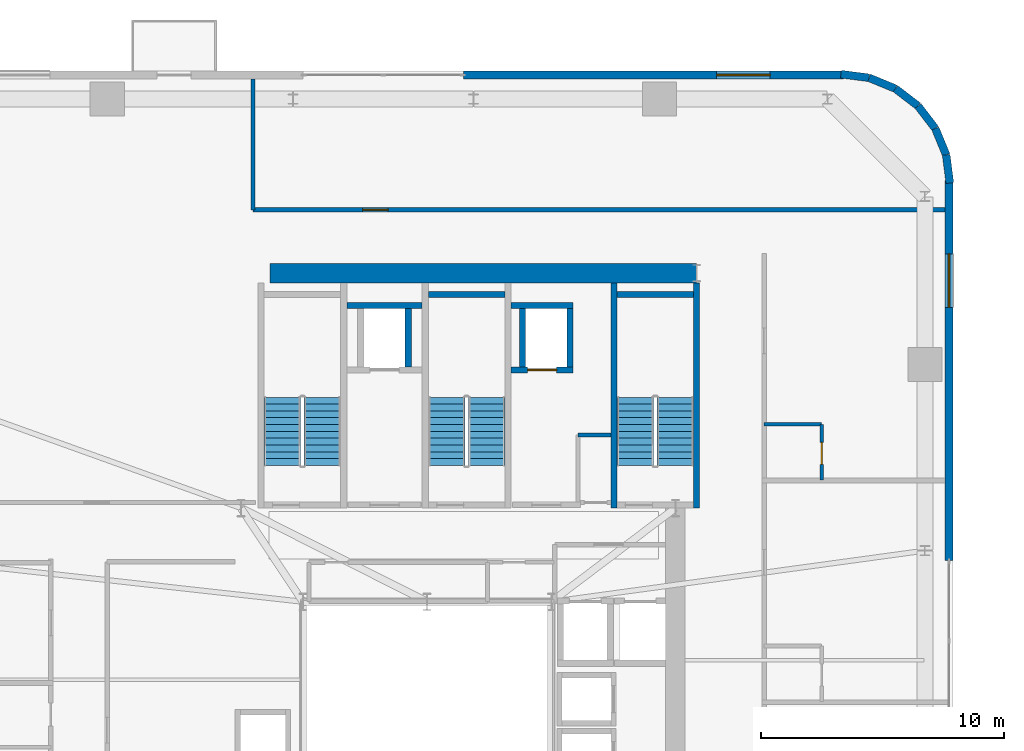
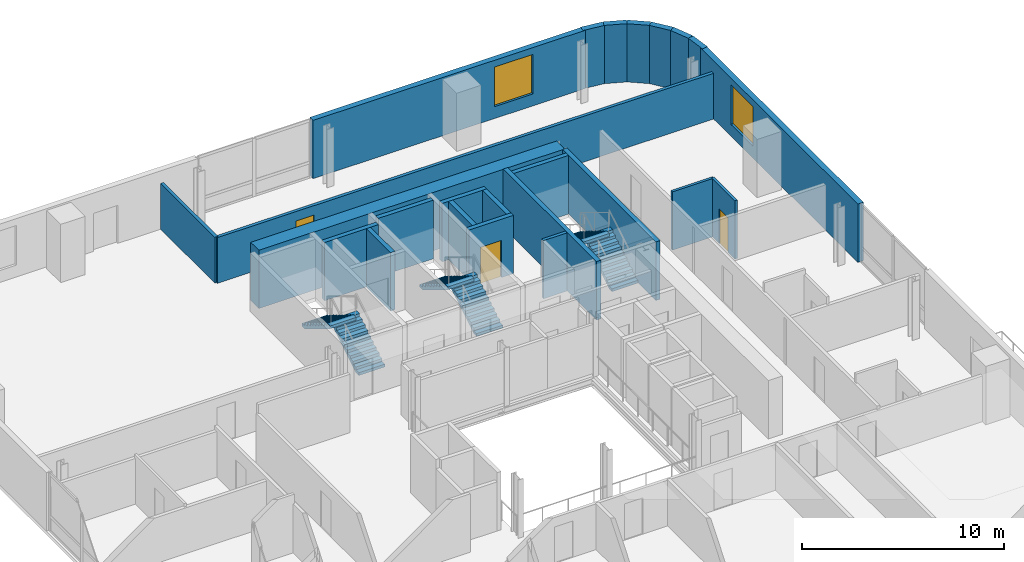
# One storey, part 11 of 16: 24 walls, 6 stair flights, 3 doors, 2 windows, 5 openings, 3 elements without a shape of their own.
"""IFC4 building model written with IfcOpenShell, lengths in metres."""

from ifc_helpers import new_model, si_unit, direction, frame, frame_2d, origin, place, context, subcontext, project, spatial, polyline, rectangle, outline, extrude, source, transform, mapped, material, layer, layer_set, type_object, element, fill, aggregate, save


model = new_model("IFC4")

# Units and contexts
model_context = context("Model", 3, precision=1e-05, world=origin(), true_north=direction((0.0, 1.0)))
body_context = subcontext(model_context, "Body", "Model", "MODEL_VIEW")
ifc_project = project(units=[si_unit("LENGTHUNIT", "METRE"), si_unit("AREAUNIT", "SQUARE_METRE"), si_unit("VOLUMEUNIT", "CUBIC_METRE"), si_unit("PLANEANGLEUNIT", "RADIAN"), si_unit("MASSUNIT", "GRAM", prefix="KILO")], contexts=[model_context])

# Site, building, storey
site_placement = place(None, origin())
site = spatial("IfcSite", under=ifc_project, at=site_placement, CompositionType="ELEMENT")
building_placement = place(site_placement, origin())
building = spatial("IfcBuilding", under=site, at=building_placement, Name="Vardaveli Station Tower", CompositionType="ELEMENT")
storey_placement = place(building_placement, frame((0.0, 0.0, 222.300048828125)))
storey = spatial("IfcBuildingStorey", under=building, at=storey_placement, Name="L57", CompositionType="ELEMENT", Elevation=222.300048828125)

# Wall
ifc_material_1 = material(Name="Concrete C50/60", Category="concrete")
ifc_layer_1 = layer(ifc_material_1, 0.800048828125, Name="Concrete C50/60")
ifc_layer_set_1 = layer_set([ifc_layer_1], Name="Concrete C50/60")
wall_type_1 = type_object("IfcWallType", Name="WAL-CORE-800", PredefinedType="SHEAR", material=ifc_layer_set_1)
shared_shape_1 = source(origin(), body_context, "Body", "SweptSolid", [
    extrude(rectangle(XDim=17.52001953125, YDim=0.800048828125, at=frame_2d((8.760009765625, 0.0))), origin(), (0.0, 0.0, 1.0), 3.530029296875),
])
wall_1_placement = place(storey_placement, frame((29.85009765625, 40.300048828125, 0.0), z_axis=(0.0, 0.0, 1.0), x_axis=(1.0, 0.0, 0.0)))
element("IfcWall", 1, at=wall_1_placement, inside=storey, type_object=wall_type_1, Name="SW-L57-NORTH", PredefinedType="SHEAR", context=body_context, shape_type="MappedRepresentation", body=[
    mapped(shared_shape_1, transform((0.0, 0.0, 0.0), scale=1.0)),
])

# Wall, opening, window
ifc_material_2 = material(Name="Precast concrete C45/55", Category="concrete")
ifc_layer_2 = layer(ifc_material_2, 0.320068359375, Name="Precast concrete C45/55")
ifc_layer_set_2 = layer_set([ifc_layer_2], Name="Precast concrete C45/55")
wall_type_2 = type_object("IfcWallType", Name="WAL-EXT-STONE-320", PredefinedType="SOLIDWALL", material=ifc_layer_set_2)
shared_shape_2 = source(origin(), body_context, "Body", "SweptSolid", [
    extrude(rectangle(XDim=15.599853515625, YDim=0.320068359375, at=frame_2d((7.7998046875, 0.0))), origin(), (0.0, 0.0, 1.0), 3.530029296875),
])
wall_2_placement = place(storey_placement, frame((53.39990234375, 48.43994140625, 0.0), z_axis=(0.0, 0.0, 1.0), x_axis=(-1.0, 0.0, 0.0)))
wall_2 = element("IfcWall", 2, at=wall_2_placement, inside=storey, type_object=wall_type_2, Name="EW-L57-N1", PredefinedType="SOLIDWALL", context=body_context, shape_type="MappedRepresentation", body=[
    mapped(shared_shape_2, transform((0.0, 0.0, 0.0), scale=1.0)),
])
shared_shape_3 = source(origin(), body_context, "Body", "SweptSolid", [
    extrude(rectangle(XDim=2.199951171875, YDim=2.39990234375, at=frame_2d((1.10009765625, 1.199951171875))), frame((0.0, 0.169921875, 0.0), z_axis=(0.0, -1.0, 0.0), x_axis=(1.0, 0.0, 0.0)), (0.0, 0.0, 1.0), 0.340087890625),
])
opening_1_placement = place(wall_2_placement, frame((3.0048828125, 0.0, 0.719970703125)))
opening_1 = element("IfcOpeningElement", 3, at=opening_1_placement, cuts=wall_2, Name="Opening W-03", PredefinedType="OPENING", context=body_context, shape_type="MappedRepresentation", body=[
    mapped(shared_shape_3, transform((0.0, 0.0, 0.0), scale=1.0)),
])
ifc_material_3 = material(Name="Low-E solar-control glass", Category="glass")
window_type = type_object("IfcWindowType", Name="WIN-LOG-2200x2400", PartitioningType="SINGLE_PANEL", PredefinedType="WINDOW", material=ifc_material_3)
shared_shape_4 = source(origin(), body_context, "Body", "SweptSolid", [
    extrude(rectangle(XDim=2.199951171875, YDim=2.39990234375, at=frame_2d((1.10009765625, 1.199951171875))), frame((0.0, 0.030029296875, 0.0), z_axis=(0.0, -1.0, 0.0), x_axis=(1.0, 0.0, 0.0)), (0.0, 0.0, 1.0), 0.06005859375),
])
window_1_placement = place(opening_1_placement, origin())
window_1 = element("IfcWindow", 4, at=window_1_placement, inside=storey, type_object=window_type, Name="WN-L57-N1", OverallHeight=2.39990234375, OverallWidth=2.199951171875, PartitioningType="SINGLE_PANEL", PredefinedType="WINDOW", context=body_context, shape_type="MappedRepresentation", body=[
    mapped(shared_shape_4, transform((0.0, 0.0, 0.0), scale=1.0)),
])
fill(opening_1, window_1)

shared_shape_5 = source(origin(), body_context, "Body", "SweptSolid", [
    extrude(rectangle(XDim=15.60009765625, YDim=0.320068359375, at=frame_2d((7.800048828125, 0.0))), origin(), (0.0, 0.0, 1.0), 3.530029296875),
])
wall_3_placement = place(storey_placement, frame((57.739990234375, 28.5, 0.0), z_axis=(0.0, 0.0, 1.0), x_axis=(0.0, 1.0, 0.0)))
wall_3 = element("IfcWall", 5, at=wall_3_placement, inside=storey, type_object=wall_type_2, Name="EW-L57-E2", PredefinedType="SOLIDWALL", context=body_context, shape_type="MappedRepresentation", body=[
    mapped(shared_shape_5, transform((0.0, 0.0, 0.0), scale=1.0)),
])
opening_2_placement = place(wall_3_placement, frame((10.39501953125, 0.0, 0.719970703125)))
opening_2 = element("IfcOpeningElement", 6, at=opening_2_placement, cuts=wall_3, Name="Opening W-03", PredefinedType="OPENING", context=body_context, shape_type="MappedRepresentation", body=[
    mapped(shared_shape_3, transform((0.0, 0.0, 0.0), scale=1.0)),
])
window_2_placement = place(opening_2_placement, origin())
window_2 = element("IfcWindow", 7, at=window_2_placement, inside=storey, type_object=window_type, Name="WN-L57-E2", OverallHeight=2.39990234375, OverallWidth=2.199951171875, PartitioningType="SINGLE_PANEL", PredefinedType="WINDOW", context=body_context, shape_type="MappedRepresentation", body=[
    mapped(shared_shape_4, transform((0.0, 0.0, 0.0), scale=1.0)),
])
fill(opening_2, window_2)

# Walls
shared_shape_6 = source(origin(), body_context, "Body", "SweptSolid", [
    extrude(rectangle(XDim=1.1689453125, YDim=0.320068359375, at=frame_2d((0.58447265625, 0.0))), origin(), (0.0, 0.0, 1.0), 3.530029296875),
])
wall_4_placement = place(storey_placement, frame((57.179931640625, 46.2412109375, 0.0), z_axis=(0.0, 0.0, 1.0), x_axis=(-0.608387696831, 0.793639975269, 0.0)))
element("IfcWall", 8, at=wall_4_placement, inside=storey, type_object=wall_type_2, Name="EW-L57-CR3-3", PredefinedType="SOLIDWALL", context=body_context, shape_type="MappedRepresentation", body=[
    mapped(shared_shape_6, transform((0.0, 0.0, 0.0), scale=1.0)),
])
shared_shape_7 = source(origin(), body_context, "Body", "SweptSolid", [
    extrude(rectangle(XDim=1.168701171875, YDim=0.320068359375, at=frame_2d((0.58447265625, 0.0))), origin(), (0.0, 0.0, 1.0), 3.530029296875),
])
wall_5_placement = place(storey_placement, frame((56.46875, 47.1689453125, 0.0), z_axis=(0.0, 0.0, 1.0), x_axis=(-0.793663520347, 0.608356981114, 0.0)))
element("IfcWall", 9, at=wall_5_placement, inside=storey, type_object=wall_type_2, Name="EW-L57-CR3-4", PredefinedType="SOLIDWALL", context=body_context, shape_type="MappedRepresentation", body=[
    mapped(shared_shape_7, transform((0.0, 0.0, 0.0), scale=1.0)),
])
shared_shape_8 = source(origin(), body_context, "Body", "SweptSolid", [
    extrude(rectangle(XDim=1.17041015625, YDim=0.320068359375, at=frame_2d((0.585205078125, 0.0))), origin(), (0.0, 0.0, 1.0), 3.530029296875),
])
for number, where, z_axis, x_axis, name in (
    (10, (57.775634765625, 43.99951171875, 0.0), (0.0, 0.0, 1.0), (-0.128295670475, 0.991735963317, 0.0), "EW-L57-CR3-1"),
    (11, (54.460205078125, 48.325439453125, 0.0), (0.0, 0.0, 1.0), (-0.991735963317, 0.128295670475, 0.0), "EW-L57-CR3-6"),
):
    element("IfcWall", number, at=place(storey_placement, frame(where, z_axis=z_axis, x_axis=x_axis)), inside=storey, type_object=wall_type_2, Name=name, PredefinedType="SOLIDWALL", context=body_context, shape_type="MappedRepresentation", body=[
        mapped(shared_shape_8, transform((0.0, 0.0, 0.0), scale=1.0)),
    ])
shared_shape_9 = source(origin(), body_context, "Body", "SweptSolid", [
    extrude(rectangle(XDim=1.169189453125, YDim=0.320068359375, at=frame_2d((0.58447265625, 0.0))), origin(), (0.0, 0.0, 1.0), 3.530029296875),
])
for number, where, z_axis, x_axis, name in (
    (12, (57.62548828125, 45.16015625, 0.0), (0.0, 0.0, 1.0), (-0.381054331552, 0.924552646638, 0.0), "EW-L57-CR3-2"),
    (13, (55.541259765625, 47.8798828125, 0.0), (0.0, 0.0, 1.0), (-0.924552646638, 0.381054331552, 0.0), "EW-L57-CR3-5"),
):
    element("IfcWall", number, at=place(storey_placement, frame(where, z_axis=z_axis, x_axis=x_axis)), inside=storey, type_object=wall_type_2, Name=name, PredefinedType="SOLIDWALL", context=body_context, shape_type="MappedRepresentation", body=[
        mapped(shared_shape_9, transform((0.0, 0.0, 0.0), scale=1.0)),
    ])
ifc_material_4 = material(Name="Concrete C40/50", Category="concrete")
ifc_layer_3 = layer(ifc_material_4, 0.25, Name="Concrete C40/50")
ifc_layer_set_3 = layer_set([ifc_layer_3], Name="Concrete C40/50")
wall_type_3 = type_object("IfcWallType", Name="WAL-SHAFT-250", PredefinedType="SOLIDWALL", material=ifc_layer_set_3)
shared_shape_10 = source(origin(), body_context, "Body", "SweptSolid", [
    extrude(rectangle(XDim=9.25, YDim=0.25, at=frame_2d((4.625, 0.0))), origin(), (0.0, 0.0, 1.0), 3.550048828125),
])
for number, where, z_axis, x_axis, name in (
    (14, (43.97509765625, 30.64990234375, 0.0), (0.0, 0.0, 1.0), (0.0, 1.0, 0.0), "W-L57-ST-3W"),
    (15, (47.375, 30.64990234375, 0.0), (0.0, 0.0, 1.0), (0.0, 1.0, 0.0), "W-L57-ST-3E"),
):
    element("IfcWall", number, at=place(storey_placement, frame(where, z_axis=z_axis, x_axis=x_axis)), inside=storey, type_object=wall_type_3, Name=name, PredefinedType="SOLIDWALL", context=body_context, shape_type="MappedRepresentation", body=[
        mapped(shared_shape_10, transform((0.0, 0.0, 0.0), scale=1.0)),
    ])
shared_shape_11 = source(origin(), body_context, "Body", "SweptSolid", [
    extrude(rectangle(XDim=3.14990234375, YDim=0.25, at=frame_2d((1.574951171875, 0.0))), origin(), (0.0, 0.0, 1.0), 3.550048828125),
])
for number, where, z_axis, x_axis, name in (
    (16, (36.35009765625, 39.425048828125, 0.0), (0.0, 0.0, 1.0), (1.0, 0.0, 0.0), "W-L57-ST-2N"),
    (17, (44.10009765625, 39.425048828125, 0.0), (0.0, 0.0, 1.0), (1.0, 0.0, 0.0), "W-L57-ST-3N"),
):
    element("IfcWall", number, at=place(storey_placement, frame(where, z_axis=z_axis, x_axis=x_axis)), inside=storey, type_object=wall_type_3, Name=name, PredefinedType="SOLIDWALL", context=body_context, shape_type="MappedRepresentation", body=[
        mapped(shared_shape_11, transform((0.0, 0.0, 0.0), scale=1.0)),
    ])
shared_shape_12 = source(origin(), body_context, "Body", "SweptSolid", [
    extrude(rectangle(XDim=3.10009765625, YDim=0.25, at=frame_2d((1.550048828125, 0.0))), origin(), (0.0, 0.0, 1.0), 3.530029296875),
])
wall_6_placement = place(storey_placement, frame((33.0, 38.97509765625, 0.0), z_axis=(0.0, 0.0, 1.0), x_axis=(1.0, 0.0, 0.0)))
element("IfcWall", 18, at=wall_6_placement, inside=storey, type_object=wall_type_3, Name="SHW-FFL-01-L57-N", PredefinedType="SOLIDWALL", context=body_context, shape_type="MappedRepresentation", body=[
    mapped(shared_shape_12, transform((0.0, 0.0, 0.0), scale=1.0)),
])
shared_shape_13 = source(origin(), body_context, "Body", "SweptSolid", [
    extrude(rectangle(XDim=2.400146484375, YDim=0.25, at=frame_2d((1.2001953125, 0.0))), origin(), (0.0, 0.0, 1.0), 3.530029296875),
])
for number, where, z_axis, x_axis, name in (
    (19, (35.52490234375, 36.449951171875, 0.0), (0.0, 0.0, 1.0), (0.0, 1.0, 0.0), "SHW-FFL-01-L57-E"),
    (20, (40.22509765625, 36.449951171875, 0.0), (0.0, 0.0, 1.0), (0.0, 1.0, 0.0), "SHW-FFL-02-L57-W"),
    (21, (42.175048828125, 36.449951171875, 0.0), (0.0, 0.0, 1.0), (0.0, 1.0, 0.0), "SHW-FFL-02-L57-E"),
):
    element("IfcWall", number, at=place(storey_placement, frame(where, z_axis=z_axis, x_axis=x_axis)), inside=storey, type_object=wall_type_3, Name=name, PredefinedType="SOLIDWALL", context=body_context, shape_type="MappedRepresentation", body=[
        mapped(shared_shape_13, transform((0.0, 0.0, 0.0), scale=1.0)),
    ])

# Wall, opening, door
shared_shape_14 = source(origin(), body_context, "Body", "SweptSolid", [
    extrude(rectangle(XDim=2.550048828125, YDim=0.25, at=frame_2d((1.27490234375, 0.0))), origin(), (0.0, 0.0, 1.0), 3.530029296875),
])
wall_7_placement = place(storey_placement, frame((39.75, 36.324951171875, 0.0), z_axis=(0.0, 0.0, 1.0), x_axis=(1.0, 0.0, 0.0)))
wall_7 = element("IfcWall", 22, at=wall_7_placement, inside=storey, type_object=wall_type_3, Name="SHW-FFL-02-L57-S", PredefinedType="SOLIDWALL", context=body_context, shape_type="MappedRepresentation", body=[
    mapped(shared_shape_14, transform((0.0, 0.0, 0.0), scale=1.0)),
])
shared_shape_15 = source(origin(), body_context, "Body", "SweptSolid", [
    extrude(rectangle(XDim=1.199951171875, YDim=2.25, at=frame_2d((0.60009765625, 1.125))), frame((0.0, 0.135009765625, 0.0), z_axis=(0.0, -1.0, 0.0), x_axis=(1.0, 0.0, 0.0)), (0.0, 0.0, 1.0), 0.27001953125),
])
opening_3_placement = place(wall_7_placement, frame((0.675048828125, 0.0, 0.0)))
opening_3 = element("IfcOpeningElement", 23, at=opening_3_placement, cuts=wall_7, Name="Opening LD-02", PredefinedType="OPENING", context=body_context, shape_type="MappedRepresentation", body=[
    mapped(shared_shape_15, transform((0.0, 0.0, 0.0), scale=1.0)),
])
ifc_material_5 = material(Name="Brushed stainless steel", Category="steel")
door_type_1 = type_object("IfcDoorType", Name="DR-LD-1200x2250", OperationType="DOUBLE_DOOR_SLIDING", PredefinedType="DOOR", material=ifc_material_5)
shared_shape_16 = source(origin(), body_context, "Body", "SweptSolid", [
    extrude(rectangle(XDim=1.199951171875, YDim=2.25, at=frame_2d((0.60009765625, 1.125))), frame((0.0, 0.02490234375, 0.0), z_axis=(0.0, -1.0, 0.0), x_axis=(1.0, 0.0, 0.0)), (0.0, 0.0, 1.0), 0.050048828125),
])
door_1_placement = place(opening_3_placement, origin())
door_1 = element("IfcDoor", 24, at=door_1_placement, inside=storey, type_object=door_type_1, Name="LD-FFL-02-L57", OperationType="DOUBLE_DOOR_SLIDING", OverallHeight=2.25, OverallWidth=1.199951171875, PredefinedType="DOOR", context=body_context, shape_type="MappedRepresentation", body=[
    mapped(shared_shape_16, transform((0.0, 0.0, 0.0), scale=1.0)),
])
fill(opening_3, door_1)

# Wall
wall_8_placement = place(storey_placement, frame((39.75, 38.97509765625, 0.0), z_axis=(0.0, 0.0, 1.0), x_axis=(1.0, 0.0, 0.0)))
element("IfcWall", 25, at=wall_8_placement, inside=storey, type_object=wall_type_3, Name="SHW-FFL-02-L57-N", PredefinedType="SOLIDWALL", context=body_context, shape_type="MappedRepresentation", body=[
    mapped(shared_shape_14, transform((0.0, 0.0, 0.0), scale=1.0)),
])

# Wall, opening, door
ifc_material_6 = material(Name="Fire-rated gypsum stud partition")
ifc_layer_4 = layer(ifc_material_6, 0.179931640625, Name="Fire-rated gypsum stud partition")
ifc_layer_set_4 = layer_set([ifc_layer_4], Name="Fire-rated gypsum stud partition")
wall_type_4 = type_object("IfcWallType", Name="WAL-CORR-180", PredefinedType="PARTITIONING", material=ifc_layer_set_4)
shared_shape_17 = source(origin(), body_context, "Body", "SweptSolid", [
    extrude(rectangle(XDim=28.427978515625, YDim=0.179931640625, at=frame_2d((14.2138671875, 0.0))), origin(), (0.0, 0.0, 1.0), 2.77197265625),
])
wall_9_placement = place(storey_placement, frame((29.14990234375, 42.89990234375, 0.0), z_axis=(0.0, 0.0, 1.0), x_axis=(1.0, 0.0, 0.0)))
wall_9 = element("IfcWall", 26, at=wall_9_placement, inside=storey, type_object=wall_type_4, Name="W-L57-NPS", PredefinedType="PARTITIONING", context=body_context, shape_type="MappedRepresentation", body=[
    mapped(shared_shape_17, transform((0.0, 0.0, 0.0), scale=1.0)),
])
shared_shape_18 = source(origin(), body_context, "Body", "SweptSolid", [
    extrude(rectangle(XDim=1.050048828125, YDim=2.199951171875, at=frame_2d((0.52490234375, 1.10009765625))), frame((0.0, 0.10009765625, 0.0), z_axis=(0.0, -1.0, 0.0), x_axis=(1.0, 0.0, 0.0)), (0.0, 0.0, 1.0), 0.199951171875),
])
opening_4_placement = place(wall_9_placement, frame((4.5, 0.0, 0.0)))
opening_4 = element("IfcOpeningElement", 27, at=opening_4_placement, cuts=wall_9, Name="Opening D-05", PredefinedType="OPENING", context=body_context, shape_type="MappedRepresentation", body=[
    mapped(shared_shape_18, transform((0.0, 0.0, 0.0), scale=1.0)),
])
ifc_material_7 = material(Name="Walnut veneer acoustic fire door")
door_type_2 = type_object("IfcDoorType", Name="DR-SUITE-1050x2200", OperationType="NOTDEFINED", PredefinedType="DOOR", material=ifc_material_7)
shared_shape_19 = source(origin(), body_context, "Body", "SweptSolid", [
    extrude(rectangle(XDim=1.050048828125, YDim=2.199951171875, at=frame_2d((0.52490234375, 1.10009765625))), frame((0.0, 0.02490234375, 0.0), z_axis=(0.0, -1.0, 0.0), x_axis=(1.0, 0.0, 0.0)), (0.0, 0.0, 1.0), 0.050048828125),
])
door_2_placement = place(opening_4_placement, origin())
door_2 = element("IfcDoor", 28, at=door_2_placement, inside=storey, type_object=door_type_2, Name="D-L57-NP1", OperationType="SINGLE_SWING_LEFT", OverallHeight=2.199951171875, OverallWidth=1.050048828125, PredefinedType="DOOR", context=body_context, shape_type="MappedRepresentation", body=[
    mapped(shared_shape_19, transform((0.0, 0.0, 0.0), scale=1.0)),
])
fill(opening_4, door_2)

ifc_material_8 = material(Name="Moisture-resistant stud partition")
ifc_layer_5 = layer(ifc_material_8, 0.14990234375, Name="Moisture-resistant stud partition")
ifc_layer_set_5 = layer_set([ifc_layer_5], Name="Moisture-resistant stud partition")
wall_type_5 = type_object("IfcWallType", Name="WAL-WET-150", PredefinedType="PARTITIONING", material=ifc_layer_set_5)
shared_shape_20 = source(origin(), body_context, "Body", "SweptSolid", [
    extrude(rectangle(XDim=2.289794921875, YDim=0.14990234375, at=frame_2d((1.14501953125, 0.0))), origin(), (0.0, 0.0, 1.0), 3.530029296875),
])
wall_10_placement = place(storey_placement, frame((52.510009765625, 31.797119140625, 0.0), z_axis=(0.0, 0.0, 1.0), x_axis=(0.0, 1.0, 0.0)))
wall_10 = element("IfcWall", 29, at=wall_10_placement, inside=storey, type_object=wall_type_5, Name="W-L57-BE3-E", PredefinedType="PARTITIONING", context=body_context, shape_type="MappedRepresentation", body=[
    mapped(shared_shape_20, transform((0.0, 0.0, 0.0), scale=1.0)),
])
shared_shape_21 = source(origin(), body_context, "Body", "SweptSolid", [
    extrude(rectangle(XDim=0.89990234375, YDim=2.10009765625, at=frame_2d((0.449951171875, 1.050048828125))), frame((0.0, 0.0849609375, 0.0), z_axis=(0.0, -1.0, 0.0), x_axis=(1.0, 0.0, 0.0)), (0.0, 0.0, 1.0), 0.169921875),
])
opening_5_placement = place(wall_10_placement, frame((0.64990234375, 0.0, 0.0)))
opening_5 = element("IfcOpeningElement", 30, at=opening_5_placement, cuts=wall_10, Name="Opening D-08", PredefinedType="OPENING", context=body_context, shape_type="MappedRepresentation", body=[
    mapped(shared_shape_21, transform((0.0, 0.0, 0.0), scale=1.0)),
])
ifc_material_9 = material(Name="Moisture-resistant oak door")
door_type_3 = type_object("IfcDoorType", Name="DR-BATH-900x2100", OperationType="NOTDEFINED", PredefinedType="DOOR", material=ifc_material_9)
shared_shape_22 = source(origin(), body_context, "Body", "SweptSolid", [
    extrude(rectangle(XDim=0.89990234375, YDim=2.10009765625, at=frame_2d((0.449951171875, 1.050048828125))), frame((0.0, 0.02490234375, 0.0), z_axis=(0.0, -1.0, 0.0), x_axis=(1.0, 0.0, 0.0)), (0.0, 0.0, 1.0), 0.050048828125),
])
door_3_placement = place(opening_5_placement, origin())
door_3 = element("IfcDoor", 31, at=door_3_placement, inside=storey, type_object=door_type_3, Name="D-L57-BE3", OperationType="SINGLE_SWING_RIGHT", OverallHeight=2.10009765625, OverallWidth=0.89990234375, PredefinedType="DOOR", context=body_context, shape_type="MappedRepresentation", body=[
    mapped(shared_shape_22, transform((0.0, 0.0, 0.0), scale=1.0)),
])
fill(opening_5, door_3)

# Walls
shared_shape_23 = source(origin(), body_context, "Body", "SweptSolid", [
    extrude(rectangle(XDim=5.378173828125, YDim=0.179931640625, at=frame_2d((2.68896484375, 0.0))), origin(), (0.0, 0.0, 1.0), 2.77197265625),
])
wall_11_placement = place(storey_placement, frame((29.14990234375, 42.89990234375, 0.0), z_axis=(0.0, 0.0, 1.0), x_axis=(0.0, 1.0, 0.0)))
element("IfcWall", 32, at=wall_11_placement, inside=storey, type_object=wall_type_4, Name="W-L57-NPW", PredefinedType="PARTITIONING", context=body_context, shape_type="MappedRepresentation", body=[
    mapped(shared_shape_23, transform((0.0, 0.0, 0.0), scale=1.0)),
])
shared_shape_24 = source(origin(), body_context, "Body", "SweptSolid", [
    extrude(rectangle(XDim=2.360107421875, YDim=0.14990234375, at=frame_2d((1.18017578125, 0.0))), origin(), (0.0, 0.0, 1.0), 3.530029296875),
])
wall_12_placement = place(storey_placement, frame((50.14990234375, 34.0869140625, 0.0), z_axis=(0.0, 0.0, 1.0), x_axis=(1.0, 0.0, 0.0)))
element("IfcWall", 33, at=wall_12_placement, inside=storey, type_object=wall_type_5, Name="W-L57-BE3-N", PredefinedType="PARTITIONING", context=body_context, shape_type="MappedRepresentation", body=[
    mapped(shared_shape_24, transform((0.0, 0.0, 0.0), scale=1.0)),
])
shared_shape_25 = source(origin(), body_context, "Body", "SweptSolid", [
    extrude(rectangle(XDim=1.347900390625, YDim=0.179931640625, at=frame_2d((0.673828125, 0.0))), origin(), (0.0, 0.0, 1.0), 3.530029296875),
])
wall_13_placement = place(storey_placement, frame((42.5, 33.64990234375, 0.0), z_axis=(0.0, 0.0, 1.0), x_axis=(1.0, 0.0, 0.0)))
element("IfcWall", 34, at=wall_13_placement, inside=storey, type_object=wall_type_4, Name="W-L57-CBS0-N", PredefinedType="PARTITIONING", context=body_context, shape_type="MappedRepresentation", body=[
    mapped(shared_shape_25, transform((0.0, 0.0, 0.0), scale=1.0)),
])

# Stair, stair flights
stair_type = type_object("IfcStairType", Name="STR-CORE-1500", PredefinedType="HALF_TURN_STAIR", material=ifc_material_4)
stair_1_placement = place(storey_placement, origin())
stair_1 = element("IfcStair", 35, at=stair_1_placement, inside=storey, type_object=stair_type, Name="L57 ST-1", PredefinedType="HALF_TURN_STAIR")
stair_flight_type = type_object("IfcStairFlightType", Name="SFL-CORE-1500", PredefinedType="STRAIGHT", material=ifc_material_4)
shared_shape_26 = source(origin(), body_context, "Body", "SweptSolid", [
    extrude(outline(polyline([(0.0, 0.0), (0.0, 0.17041015625), (0.280029296875, 0.17041015625), (0.280029296875, 0.3408203125), (0.56005859375, 0.3408203125), (0.56005859375, 0.511474609375), (0.840087890625, 0.511474609375), (0.840087890625, 0.681884765625), (1.1201171875, 0.681884765625), (1.1201171875, 0.852294921875), (1.39990234375, 0.852294921875), (1.39990234375, 1.022705078125), (1.679931640625, 1.022705078125), (1.679931640625, 1.193115234375), (1.9599609375, 1.193115234375), (1.9599609375, 1.363525390625), (2.239990234375, 1.363525390625), (2.239990234375, 1.5341796875), (2.52001953125, 1.5341796875), (2.52001953125, 1.70458984375), (2.800048828125, 1.70458984375), (2.800048828125, 1.875), (2.800048828125, 1.529052734375), (0.288330078125, 0.0), (0.0, 0.0)])), frame((0.0, 0.75, 0.0), z_axis=(0.0, -1.0, 0.0), x_axis=(1.0, 0.0, 0.0)), (0.0, 0.0, 1.0), 1.5),
])
stair_flight_1_placement = place(storey_placement, frame((32.0, 32.39990234375, 0.0), z_axis=(0.0, 0.0, 1.0), x_axis=(0.0, 1.0, 0.0)))
stair_flight_1 = element("IfcStairFlight", 36, at=stair_flight_1_placement, type_object=stair_flight_type, Name="ST-1 flight 1", NumberOfRisers=11, NumberOfTreads=10, PredefinedType="STRAIGHT", RiserHeight=0.170454545, TreadLength=0.28, context=body_context, shape_type="MappedRepresentation", body=[
    mapped(shared_shape_26, transform((0.0, 0.0, 0.0), scale=1.0)),
])
stair_flight_2_placement = place(storey_placement, frame((30.35009765625, 35.199951171875, 1.875), z_axis=(0.0, 0.0, 1.0), x_axis=(0.0, -1.0, 0.0)))
stair_flight_2 = element("IfcStairFlight", 37, at=stair_flight_2_placement, type_object=stair_flight_type, Name="ST-1 flight 2", NumberOfRisers=11, NumberOfTreads=10, PredefinedType="STRAIGHT", RiserHeight=0.170454545, TreadLength=0.28, context=body_context, shape_type="MappedRepresentation", body=[
    mapped(shared_shape_26, transform((0.0, 0.0, 0.0), scale=1.0)),
])
aggregate(stair_1, [stair_flight_1, stair_flight_2])

stair_2_placement = place(storey_placement, origin())
stair_2 = element("IfcStair", 38, at=stair_2_placement, inside=storey, type_object=stair_type, Name="L57 ST-2", PredefinedType="HALF_TURN_STAIR")
stair_flight_3_placement = place(storey_placement, frame((38.75, 32.39990234375, 0.0), z_axis=(0.0, 0.0, 1.0), x_axis=(0.0, 1.0, 0.0)))
stair_flight_3 = element("IfcStairFlight", 39, at=stair_flight_3_placement, type_object=stair_flight_type, Name="ST-2 flight 1", NumberOfRisers=11, NumberOfTreads=10, PredefinedType="STRAIGHT", RiserHeight=0.170454545, TreadLength=0.28, context=body_context, shape_type="MappedRepresentation", body=[
    mapped(shared_shape_26, transform((0.0, 0.0, 0.0), scale=1.0)),
])
stair_flight_4_placement = place(storey_placement, frame((37.10009765625, 35.199951171875, 1.875), z_axis=(0.0, 0.0, 1.0), x_axis=(0.0, -1.0, 0.0)))
stair_flight_4 = element("IfcStairFlight", 40, at=stair_flight_4_placement, type_object=stair_flight_type, Name="ST-2 flight 2", NumberOfRisers=11, NumberOfTreads=10, PredefinedType="STRAIGHT", RiserHeight=0.170454545, TreadLength=0.28, context=body_context, shape_type="MappedRepresentation", body=[
    mapped(shared_shape_26, transform((0.0, 0.0, 0.0), scale=1.0)),
])
aggregate(stair_2, [stair_flight_3, stair_flight_4])

stair_3_placement = place(storey_placement, origin())
stair_3 = element("IfcStair", 41, at=stair_3_placement, inside=storey, type_object=stair_type, Name="L57 ST-3", PredefinedType="HALF_TURN_STAIR")
stair_flight_5_placement = place(storey_placement, frame((46.5, 32.39990234375, 0.0), z_axis=(0.0, 0.0, 1.0), x_axis=(0.0, 1.0, 0.0)))
stair_flight_5 = element("IfcStairFlight", 42, at=stair_flight_5_placement, type_object=stair_flight_type, Name="ST-3 flight 1", NumberOfRisers=11, NumberOfTreads=10, PredefinedType="STRAIGHT", RiserHeight=0.170454545, TreadLength=0.28, context=body_context, shape_type="MappedRepresentation", body=[
    mapped(shared_shape_26, transform((0.0, 0.0, 0.0), scale=1.0)),
])
stair_flight_6_placement = place(storey_placement, frame((44.85009765625, 35.199951171875, 1.875), z_axis=(0.0, 0.0, 1.0), x_axis=(0.0, -1.0, 0.0)))
stair_flight_6 = element("IfcStairFlight", 43, at=stair_flight_6_placement, type_object=stair_flight_type, Name="ST-3 flight 2", NumberOfRisers=11, NumberOfTreads=10, PredefinedType="STRAIGHT", RiserHeight=0.170454545, TreadLength=0.28, context=body_context, shape_type="MappedRepresentation", body=[
    mapped(shared_shape_26, transform((0.0, 0.0, 0.0), scale=1.0)),
])
aggregate(stair_3, [stair_flight_5, stair_flight_6])

save(model, "model.ifc")
